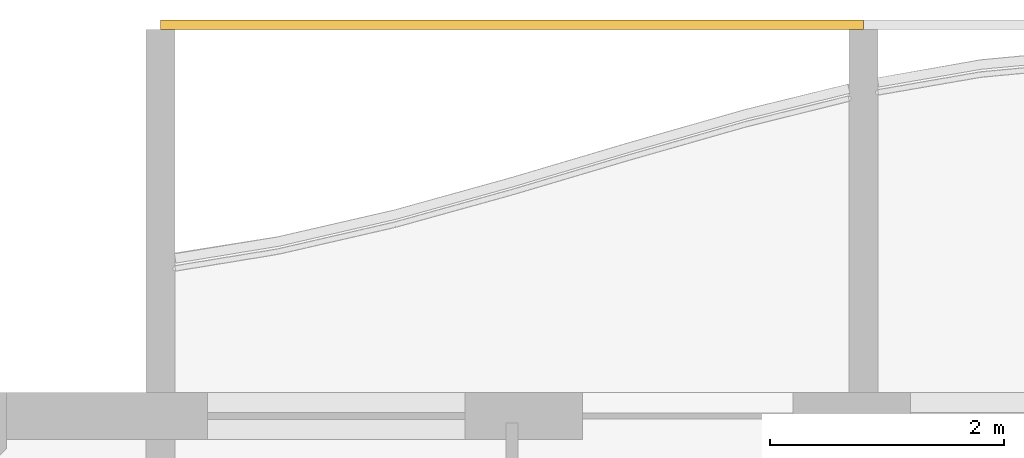
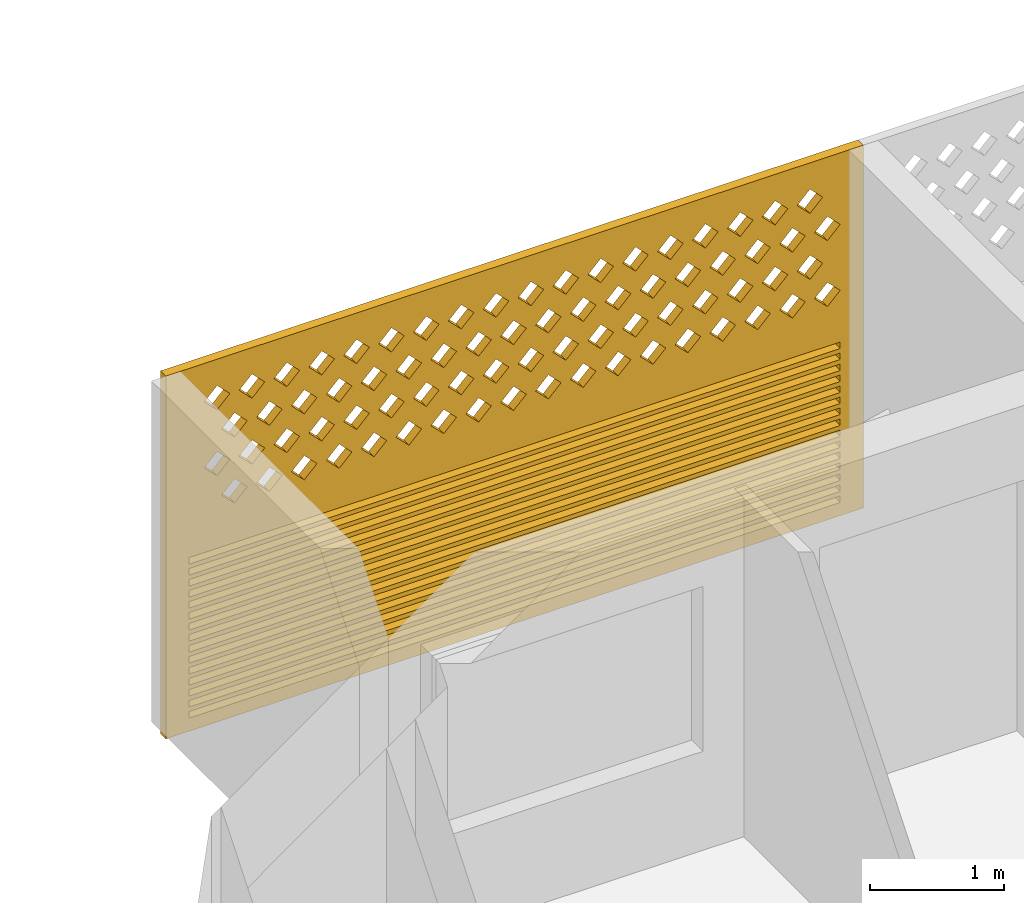
# One storey, part 17 of 27: 1 covering.
"""IFC4 building model written with IfcOpenShell, lengths in metres."""

from ifc_helpers import new_model, si_unit, direction, frame, origin, place, context, subcontext, project, spatial, polyline, outline, extrude, source, transform, mapped, material, material_profile, profile_set, type_object, element, save


model = new_model("IFC4")

# Units and contexts
model_context = context("Model", 3, precision=1e-05, world=origin(), true_north=direction((0.0, 1.0)))
body_context = subcontext(model_context, "Body", "Model", "MODEL_VIEW")
ifc_project = project(units=[si_unit("LENGTHUNIT", "METRE"), si_unit("AREAUNIT", "SQUARE_METRE"), si_unit("VOLUMEUNIT", "CUBIC_METRE"), si_unit("PLANEANGLEUNIT", "RADIAN"), si_unit("MASSUNIT", "GRAM", prefix="KILO")], contexts=[model_context])

# Site, building, storey
site_placement = place(None, origin())
site = spatial("IfcSite", under=ifc_project, at=site_placement, CompositionType="ELEMENT")
building_placement = place(site_placement, origin())
building = spatial("IfcBuilding", under=site, at=building_placement, Name="Poui Terraces", CompositionType="ELEMENT")
storey_placement = place(building_placement, frame((0.0, 0.0, 201.60009765625)))
storey = spatial("IfcBuildingStorey", under=building, at=storey_placement, Name="L56", CompositionType="ELEMENT", Elevation=201.60009765625)

# Covering
ifc_material = material(Name="Terracotta screen", Category="masonry")
ifc_material_profile = material_profile(ifc_material, outline(polyline([(-3.0, -1.64990234375), (3.0, -1.64990234375), (3.0, 1.64990234375), (-3.0, 1.64990234375), (-3.0, -1.64990234375)]), holes=[polyline([(-2.800048828125, 0.39990234375), (-2.68994140625, 0.2900390625), (-2.580078125, 0.39990234375), (-2.68994140625, 0.510009765625), (-2.800048828125, 0.39990234375)]), polyline([(-2.5, 0.39990234375), (-2.389892578125, 0.2900390625), (-2.280029296875, 0.39990234375), (-2.389892578125, 0.510009765625), (-2.5, 0.39990234375)]), polyline([(-2.199951171875, 0.39990234375), (-2.090087890625, 0.2900390625), (-1.97998046875, 0.39990234375), (-2.090087890625, 0.510009765625), (-2.199951171875, 0.39990234375)]), polyline([(-1.89990234375, 0.39990234375), (-1.7900390625, 0.2900390625), (-1.679931640625, 0.39990234375), (-1.7900390625, 0.510009765625), (-1.89990234375, 0.39990234375)]), polyline([(-1.60009765625, 0.39990234375), (-1.489990234375, 0.2900390625), (-1.3798828125, 0.39990234375), (-1.489990234375, 0.510009765625), (-1.60009765625, 0.39990234375)]), polyline([(-1.300048828125, 0.39990234375), (-1.18994140625, 0.2900390625), (-1.080078125, 0.39990234375), (-1.18994140625, 0.510009765625), (-1.300048828125, 0.39990234375)]), polyline([(-1.0, 0.39990234375), (-0.889892578125, 0.2900390625), (-0.780029296875, 0.39990234375), (-0.889892578125, 0.510009765625), (-1.0, 0.39990234375)]), polyline([(-0.699951171875, 0.39990234375), (-0.590087890625, 0.2900390625), (-0.47998046875, 0.39990234375), (-0.590087890625, 0.510009765625), (-0.699951171875, 0.39990234375)]), polyline([(-0.39990234375, 0.39990234375), (-0.2900390625, 0.2900390625), (-0.179931640625, 0.39990234375), (-0.2900390625, 0.510009765625), (-0.39990234375, 0.39990234375)]), polyline([(-0.10009765625, 0.39990234375), (0.010009765625, 0.2900390625), (0.1201171875, 0.39990234375), (0.010009765625, 0.510009765625), (-0.10009765625, 0.39990234375)]), polyline([(0.199951171875, 0.39990234375), (0.31005859375, 0.2900390625), (0.419921875, 0.39990234375), (0.31005859375, 0.510009765625), (0.199951171875, 0.39990234375)]), polyline([(0.5, 0.39990234375), (0.610107421875, 0.2900390625), (0.719970703125, 0.39990234375), (0.610107421875, 0.510009765625), (0.5, 0.39990234375)]), polyline([(0.800048828125, 0.39990234375), (0.909912109375, 0.2900390625), (1.02001953125, 0.39990234375), (0.909912109375, 0.510009765625), (0.800048828125, 0.39990234375)]), polyline([(1.10009765625, 0.39990234375), (1.2099609375, 0.2900390625), (1.320068359375, 0.39990234375), (1.2099609375, 0.510009765625), (1.10009765625, 0.39990234375)]), polyline([(1.39990234375, 0.39990234375), (1.510009765625, 0.2900390625), (1.6201171875, 0.39990234375), (1.510009765625, 0.510009765625), (1.39990234375, 0.39990234375)]), polyline([(1.699951171875, 0.39990234375), (1.81005859375, 0.2900390625), (1.919921875, 0.39990234375), (1.81005859375, 0.510009765625), (1.699951171875, 0.39990234375)]), polyline([(2.0, 0.39990234375), (2.110107421875, 0.2900390625), (2.219970703125, 0.39990234375), (2.110107421875, 0.510009765625), (2.0, 0.39990234375)]), polyline([(2.300048828125, 0.39990234375), (2.409912109375, 0.2900390625), (2.52001953125, 0.39990234375), (2.409912109375, 0.510009765625), (2.300048828125, 0.39990234375)]), polyline([(-2.64990234375, 0.699951171875), (-2.5400390625, 0.590087890625), (-2.429931640625, 0.699951171875), (-2.5400390625, 0.81005859375), (-2.64990234375, 0.699951171875)]), polyline([(-2.35009765625, 0.699951171875), (-2.239990234375, 0.590087890625), (-2.1298828125, 0.699951171875), (-2.239990234375, 0.81005859375), (-2.35009765625, 0.699951171875)]), polyline([(-2.050048828125, 0.699951171875), (-1.93994140625, 0.590087890625), (-1.830078125, 0.699951171875), (-1.93994140625, 0.81005859375), (-2.050048828125, 0.699951171875)]), polyline([(-1.75, 0.699951171875), (-1.639892578125, 0.590087890625), (-1.530029296875, 0.699951171875), (-1.639892578125, 0.81005859375), (-1.75, 0.699951171875)]), polyline([(-1.449951171875, 0.699951171875), (-1.340087890625, 0.590087890625), (-1.22998046875, 0.699951171875), (-1.340087890625, 0.81005859375), (-1.449951171875, 0.699951171875)]), polyline([(-1.14990234375, 0.699951171875), (-1.0400390625, 0.590087890625), (-0.929931640625, 0.699951171875), (-1.0400390625, 0.81005859375), (-1.14990234375, 0.699951171875)]), polyline([(-0.85009765625, 0.699951171875), (-0.739990234375, 0.590087890625), (-0.6298828125, 0.699951171875), (-0.739990234375, 0.81005859375), (-0.85009765625, 0.699951171875)]), polyline([(-0.550048828125, 0.699951171875), (-0.43994140625, 0.590087890625), (-0.330078125, 0.699951171875), (-0.43994140625, 0.81005859375), (-0.550048828125, 0.699951171875)]), polyline([(-0.25, 0.699951171875), (-0.139892578125, 0.590087890625), (-0.030029296875, 0.699951171875), (-0.139892578125, 0.81005859375), (-0.25, 0.699951171875)]), polyline([(0.050048828125, 0.699951171875), (0.159912109375, 0.590087890625), (0.27001953125, 0.699951171875), (0.159912109375, 0.81005859375), (0.050048828125, 0.699951171875)]), polyline([(0.35009765625, 0.699951171875), (0.4599609375, 0.590087890625), (0.570068359375, 0.699951171875), (0.4599609375, 0.81005859375), (0.35009765625, 0.699951171875)]), polyline([(0.64990234375, 0.699951171875), (0.760009765625, 0.590087890625), (0.8701171875, 0.699951171875), (0.760009765625, 0.81005859375), (0.64990234375, 0.699951171875)]), polyline([(0.949951171875, 0.699951171875), (1.06005859375, 0.590087890625), (1.169921875, 0.699951171875), (1.06005859375, 0.81005859375), (0.949951171875, 0.699951171875)]), polyline([(1.25, 0.699951171875), (1.360107421875, 0.590087890625), (1.469970703125, 0.699951171875), (1.360107421875, 0.81005859375), (1.25, 0.699951171875)]), polyline([(1.550048828125, 0.699951171875), (1.659912109375, 0.590087890625), (1.77001953125, 0.699951171875), (1.659912109375, 0.81005859375), (1.550048828125, 0.699951171875)]), polyline([(1.85009765625, 0.699951171875), (1.9599609375, 0.590087890625), (2.070068359375, 0.699951171875), (1.9599609375, 0.81005859375), (1.85009765625, 0.699951171875)]), polyline([(2.14990234375, 0.699951171875), (2.260009765625, 0.590087890625), (2.3701171875, 0.699951171875), (2.260009765625, 0.81005859375), (2.14990234375, 0.699951171875)]), polyline([(2.449951171875, 0.699951171875), (2.56005859375, 0.590087890625), (2.669921875, 0.699951171875), (2.56005859375, 0.81005859375), (2.449951171875, 0.699951171875)]), polyline([(-2.800048828125, 1.0), (-2.68994140625, 0.889892578125), (-2.580078125, 1.0), (-2.68994140625, 1.110107421875), (-2.800048828125, 1.0)]), polyline([(-2.5, 1.0), (-2.389892578125, 0.889892578125), (-2.280029296875, 1.0), (-2.389892578125, 1.110107421875), (-2.5, 1.0)]), polyline([(-2.199951171875, 1.0), (-2.090087890625, 0.889892578125), (-1.97998046875, 1.0), (-2.090087890625, 1.110107421875), (-2.199951171875, 1.0)]), polyline([(-1.89990234375, 1.0), (-1.7900390625, 0.889892578125), (-1.679931640625, 1.0), (-1.7900390625, 1.110107421875), (-1.89990234375, 1.0)]), polyline([(-1.60009765625, 1.0), (-1.489990234375, 0.889892578125), (-1.3798828125, 1.0), (-1.489990234375, 1.110107421875), (-1.60009765625, 1.0)]), polyline([(-1.300048828125, 1.0), (-1.18994140625, 0.889892578125), (-1.080078125, 1.0), (-1.18994140625, 1.110107421875), (-1.300048828125, 1.0)]), polyline([(-1.0, 1.0), (-0.889892578125, 0.889892578125), (-0.780029296875, 1.0), (-0.889892578125, 1.110107421875), (-1.0, 1.0)]), polyline([(-0.699951171875, 1.0), (-0.590087890625, 0.889892578125), (-0.47998046875, 1.0), (-0.590087890625, 1.110107421875), (-0.699951171875, 1.0)]), polyline([(-0.39990234375, 1.0), (-0.2900390625, 0.889892578125), (-0.179931640625, 1.0), (-0.2900390625, 1.110107421875), (-0.39990234375, 1.0)]), polyline([(-0.10009765625, 1.0), (0.010009765625, 0.889892578125), (0.1201171875, 1.0), (0.010009765625, 1.110107421875), (-0.10009765625, 1.0)]), polyline([(0.199951171875, 1.0), (0.31005859375, 0.889892578125), (0.419921875, 1.0), (0.31005859375, 1.110107421875), (0.199951171875, 1.0)]), polyline([(0.5, 1.0), (0.610107421875, 0.889892578125), (0.719970703125, 1.0), (0.610107421875, 1.110107421875), (0.5, 1.0)]), polyline([(0.800048828125, 1.0), (0.909912109375, 0.889892578125), (1.02001953125, 1.0), (0.909912109375, 1.110107421875), (0.800048828125, 1.0)]), polyline([(1.10009765625, 1.0), (1.2099609375, 0.889892578125), (1.320068359375, 1.0), (1.2099609375, 1.110107421875), (1.10009765625, 1.0)]), polyline([(1.39990234375, 1.0), (1.510009765625, 0.889892578125), (1.6201171875, 1.0), (1.510009765625, 1.110107421875), (1.39990234375, 1.0)]), polyline([(1.699951171875, 1.0), (1.81005859375, 0.889892578125), (1.919921875, 1.0), (1.81005859375, 1.110107421875), (1.699951171875, 1.0)]), polyline([(2.0, 1.0), (2.110107421875, 0.889892578125), (2.219970703125, 1.0), (2.110107421875, 1.110107421875), (2.0, 1.0)]), polyline([(2.300048828125, 1.0), (2.409912109375, 0.889892578125), (2.52001953125, 1.0), (2.409912109375, 1.110107421875), (2.300048828125, 1.0)]), polyline([(-2.64990234375, 1.300048828125), (-2.5400390625, 1.18994140625), (-2.429931640625, 1.300048828125), (-2.5400390625, 1.409912109375), (-2.64990234375, 1.300048828125)]), polyline([(-2.35009765625, 1.300048828125), (-2.239990234375, 1.18994140625), (-2.1298828125, 1.300048828125), (-2.239990234375, 1.409912109375), (-2.35009765625, 1.300048828125)]), polyline([(-2.050048828125, 1.300048828125), (-1.93994140625, 1.18994140625), (-1.830078125, 1.300048828125), (-1.93994140625, 1.409912109375), (-2.050048828125, 1.300048828125)]), polyline([(-1.75, 1.300048828125), (-1.639892578125, 1.18994140625), (-1.530029296875, 1.300048828125), (-1.639892578125, 1.409912109375), (-1.75, 1.300048828125)]), polyline([(-1.449951171875, 1.300048828125), (-1.340087890625, 1.18994140625), (-1.22998046875, 1.300048828125), (-1.340087890625, 1.409912109375), (-1.449951171875, 1.300048828125)]), polyline([(-1.14990234375, 1.300048828125), (-1.0400390625, 1.18994140625), (-0.929931640625, 1.300048828125), (-1.0400390625, 1.409912109375), (-1.14990234375, 1.300048828125)]), polyline([(-0.85009765625, 1.300048828125), (-0.739990234375, 1.18994140625), (-0.6298828125, 1.300048828125), (-0.739990234375, 1.409912109375), (-0.85009765625, 1.300048828125)]), polyline([(-0.550048828125, 1.300048828125), (-0.43994140625, 1.18994140625), (-0.330078125, 1.300048828125), (-0.43994140625, 1.409912109375), (-0.550048828125, 1.300048828125)]), polyline([(-0.25, 1.300048828125), (-0.139892578125, 1.18994140625), (-0.030029296875, 1.300048828125), (-0.139892578125, 1.409912109375), (-0.25, 1.300048828125)]), polyline([(0.050048828125, 1.300048828125), (0.159912109375, 1.18994140625), (0.27001953125, 1.300048828125), (0.159912109375, 1.409912109375), (0.050048828125, 1.300048828125)]), polyline([(0.35009765625, 1.300048828125), (0.4599609375, 1.18994140625), (0.570068359375, 1.300048828125), (0.4599609375, 1.409912109375), (0.35009765625, 1.300048828125)]), polyline([(0.64990234375, 1.300048828125), (0.760009765625, 1.18994140625), (0.8701171875, 1.300048828125), (0.760009765625, 1.409912109375), (0.64990234375, 1.300048828125)]), polyline([(0.949951171875, 1.300048828125), (1.06005859375, 1.18994140625), (1.169921875, 1.300048828125), (1.06005859375, 1.409912109375), (0.949951171875, 1.300048828125)]), polyline([(1.25, 1.300048828125), (1.360107421875, 1.18994140625), (1.469970703125, 1.300048828125), (1.360107421875, 1.409912109375), (1.25, 1.300048828125)]), polyline([(1.550048828125, 1.300048828125), (1.659912109375, 1.18994140625), (1.77001953125, 1.300048828125), (1.659912109375, 1.409912109375), (1.550048828125, 1.300048828125)]), polyline([(1.85009765625, 1.300048828125), (1.9599609375, 1.18994140625), (2.070068359375, 1.300048828125), (1.9599609375, 1.409912109375), (1.85009765625, 1.300048828125)]), polyline([(2.14990234375, 1.300048828125), (2.260009765625, 1.18994140625), (2.3701171875, 1.300048828125), (2.260009765625, 1.409912109375), (2.14990234375, 1.300048828125)]), polyline([(2.449951171875, 1.300048828125), (2.56005859375, 1.18994140625), (2.669921875, 1.300048828125), (2.56005859375, 1.409912109375), (2.449951171875, 1.300048828125)]), polyline([(-2.800048828125, -1.530029296875), (2.800048828125, -1.530029296875), (2.800048828125, -1.469970703125), (-2.800048828125, -1.469970703125), (-2.800048828125, -1.530029296875)]), polyline([(-2.800048828125, -1.429931640625), (2.800048828125, -1.429931640625), (2.800048828125, -1.3701171875), (-2.800048828125, -1.3701171875), (-2.800048828125, -1.429931640625)]), polyline([(-2.800048828125, -1.330078125), (2.800048828125, -1.330078125), (2.800048828125, -1.27001953125), (-2.800048828125, -1.27001953125), (-2.800048828125, -1.330078125)]), polyline([(-2.800048828125, -1.22998046875), (2.800048828125, -1.22998046875), (2.800048828125, -1.169921875), (-2.800048828125, -1.169921875), (-2.800048828125, -1.22998046875)]), polyline([(-2.800048828125, -1.1298828125), (2.800048828125, -1.1298828125), (2.800048828125, -1.070068359375), (-2.800048828125, -1.070068359375), (-2.800048828125, -1.1298828125)]), polyline([(-2.800048828125, -1.030029296875), (2.800048828125, -1.030029296875), (2.800048828125, -0.969970703125), (-2.800048828125, -0.969970703125), (-2.800048828125, -1.030029296875)]), polyline([(-2.800048828125, -0.929931640625), (2.800048828125, -0.929931640625), (2.800048828125, -0.8701171875), (-2.800048828125, -0.8701171875), (-2.800048828125, -0.929931640625)]), polyline([(-2.800048828125, -0.830078125), (2.800048828125, -0.830078125), (2.800048828125, -0.77001953125), (-2.800048828125, -0.77001953125), (-2.800048828125, -0.830078125)]), polyline([(-2.800048828125, -0.72998046875), (2.800048828125, -0.72998046875), (2.800048828125, -0.669921875), (-2.800048828125, -0.669921875), (-2.800048828125, -0.72998046875)]), polyline([(-2.800048828125, -0.6298828125), (2.800048828125, -0.6298828125), (2.800048828125, -0.570068359375), (-2.800048828125, -0.570068359375), (-2.800048828125, -0.6298828125)]), polyline([(-2.800048828125, -0.530029296875), (2.800048828125, -0.530029296875), (2.800048828125, -0.469970703125), (-2.800048828125, -0.469970703125), (-2.800048828125, -0.530029296875)]), polyline([(-2.800048828125, -0.429931640625), (2.800048828125, -0.429931640625), (2.800048828125, -0.3701171875), (-2.800048828125, -0.3701171875), (-2.800048828125, -0.429931640625)]), polyline([(-2.800048828125, -0.330078125), (2.800048828125, -0.330078125), (2.800048828125, -0.27001953125), (-2.800048828125, -0.27001953125), (-2.800048828125, -0.330078125)]), polyline([(-2.800048828125, -0.22998046875), (2.800048828125, -0.22998046875), (2.800048828125, -0.169921875), (-2.800048828125, -0.169921875), (-2.800048828125, -0.22998046875)]), polyline([(-2.800048828125, -0.1298828125), (2.800048828125, -0.1298828125), (2.800048828125, -0.070068359375), (-2.800048828125, -0.070068359375), (-2.800048828125, -0.1298828125)])]), Name="TERRACOTTA SCREEN AND JALOUSIE LOUVRE 6000X3300")
ifc_profile_set = profile_set([ifc_material_profile], Name="Terracotta screen")
covering_type = type_object("IfcCoveringType", Name="TERRACOTTA SCREEN AND JALOUSIE LOUVRE 6000X3300", PredefinedType="CLADDING", material=ifc_profile_set)
shared_shape = source(origin(), body_context, "Body", "SweptSolid", [
    extrude(outline(polyline([(-3.0, -1.64990234375), (3.0, -1.64990234375), (3.0, 1.64990234375), (-3.0, 1.64990234375), (-3.0, -1.64990234375)]), holes=[polyline([(-2.800048828125, 0.39990234375), (-2.68994140625, 0.2900390625), (-2.580078125, 0.39990234375), (-2.68994140625, 0.510009765625), (-2.800048828125, 0.39990234375)]), polyline([(-2.5, 0.39990234375), (-2.389892578125, 0.2900390625), (-2.280029296875, 0.39990234375), (-2.389892578125, 0.510009765625), (-2.5, 0.39990234375)]), polyline([(-2.199951171875, 0.39990234375), (-2.090087890625, 0.2900390625), (-1.97998046875, 0.39990234375), (-2.090087890625, 0.510009765625), (-2.199951171875, 0.39990234375)]), polyline([(-1.89990234375, 0.39990234375), (-1.7900390625, 0.2900390625), (-1.679931640625, 0.39990234375), (-1.7900390625, 0.510009765625), (-1.89990234375, 0.39990234375)]), polyline([(-1.60009765625, 0.39990234375), (-1.489990234375, 0.2900390625), (-1.3798828125, 0.39990234375), (-1.489990234375, 0.510009765625), (-1.60009765625, 0.39990234375)]), polyline([(-1.300048828125, 0.39990234375), (-1.18994140625, 0.2900390625), (-1.080078125, 0.39990234375), (-1.18994140625, 0.510009765625), (-1.300048828125, 0.39990234375)]), polyline([(-1.0, 0.39990234375), (-0.889892578125, 0.2900390625), (-0.780029296875, 0.39990234375), (-0.889892578125, 0.510009765625), (-1.0, 0.39990234375)]), polyline([(-0.699951171875, 0.39990234375), (-0.590087890625, 0.2900390625), (-0.47998046875, 0.39990234375), (-0.590087890625, 0.510009765625), (-0.699951171875, 0.39990234375)]), polyline([(-0.39990234375, 0.39990234375), (-0.2900390625, 0.2900390625), (-0.179931640625, 0.39990234375), (-0.2900390625, 0.510009765625), (-0.39990234375, 0.39990234375)]), polyline([(-0.10009765625, 0.39990234375), (0.010009765625, 0.2900390625), (0.1201171875, 0.39990234375), (0.010009765625, 0.510009765625), (-0.10009765625, 0.39990234375)]), polyline([(0.199951171875, 0.39990234375), (0.31005859375, 0.2900390625), (0.419921875, 0.39990234375), (0.31005859375, 0.510009765625), (0.199951171875, 0.39990234375)]), polyline([(0.5, 0.39990234375), (0.610107421875, 0.2900390625), (0.719970703125, 0.39990234375), (0.610107421875, 0.510009765625), (0.5, 0.39990234375)]), polyline([(0.800048828125, 0.39990234375), (0.909912109375, 0.2900390625), (1.02001953125, 0.39990234375), (0.909912109375, 0.510009765625), (0.800048828125, 0.39990234375)]), polyline([(1.10009765625, 0.39990234375), (1.2099609375, 0.2900390625), (1.320068359375, 0.39990234375), (1.2099609375, 0.510009765625), (1.10009765625, 0.39990234375)]), polyline([(1.39990234375, 0.39990234375), (1.510009765625, 0.2900390625), (1.6201171875, 0.39990234375), (1.510009765625, 0.510009765625), (1.39990234375, 0.39990234375)]), polyline([(1.699951171875, 0.39990234375), (1.81005859375, 0.2900390625), (1.919921875, 0.39990234375), (1.81005859375, 0.510009765625), (1.699951171875, 0.39990234375)]), polyline([(2.0, 0.39990234375), (2.110107421875, 0.2900390625), (2.219970703125, 0.39990234375), (2.110107421875, 0.510009765625), (2.0, 0.39990234375)]), polyline([(2.300048828125, 0.39990234375), (2.409912109375, 0.2900390625), (2.52001953125, 0.39990234375), (2.409912109375, 0.510009765625), (2.300048828125, 0.39990234375)]), polyline([(-2.64990234375, 0.699951171875), (-2.5400390625, 0.590087890625), (-2.429931640625, 0.699951171875), (-2.5400390625, 0.81005859375), (-2.64990234375, 0.699951171875)]), polyline([(-2.35009765625, 0.699951171875), (-2.239990234375, 0.590087890625), (-2.1298828125, 0.699951171875), (-2.239990234375, 0.81005859375), (-2.35009765625, 0.699951171875)]), polyline([(-2.050048828125, 0.699951171875), (-1.93994140625, 0.590087890625), (-1.830078125, 0.699951171875), (-1.93994140625, 0.81005859375), (-2.050048828125, 0.699951171875)]), polyline([(-1.75, 0.699951171875), (-1.639892578125, 0.590087890625), (-1.530029296875, 0.699951171875), (-1.639892578125, 0.81005859375), (-1.75, 0.699951171875)]), polyline([(-1.449951171875, 0.699951171875), (-1.340087890625, 0.590087890625), (-1.22998046875, 0.699951171875), (-1.340087890625, 0.81005859375), (-1.449951171875, 0.699951171875)]), polyline([(-1.14990234375, 0.699951171875), (-1.0400390625, 0.590087890625), (-0.929931640625, 0.699951171875), (-1.0400390625, 0.81005859375), (-1.14990234375, 0.699951171875)]), polyline([(-0.85009765625, 0.699951171875), (-0.739990234375, 0.590087890625), (-0.6298828125, 0.699951171875), (-0.739990234375, 0.81005859375), (-0.85009765625, 0.699951171875)]), polyline([(-0.550048828125, 0.699951171875), (-0.43994140625, 0.590087890625), (-0.330078125, 0.699951171875), (-0.43994140625, 0.81005859375), (-0.550048828125, 0.699951171875)]), polyline([(-0.25, 0.699951171875), (-0.139892578125, 0.590087890625), (-0.030029296875, 0.699951171875), (-0.139892578125, 0.81005859375), (-0.25, 0.699951171875)]), polyline([(0.050048828125, 0.699951171875), (0.159912109375, 0.590087890625), (0.27001953125, 0.699951171875), (0.159912109375, 0.81005859375), (0.050048828125, 0.699951171875)]), polyline([(0.35009765625, 0.699951171875), (0.4599609375, 0.590087890625), (0.570068359375, 0.699951171875), (0.4599609375, 0.81005859375), (0.35009765625, 0.699951171875)]), polyline([(0.64990234375, 0.699951171875), (0.760009765625, 0.590087890625), (0.8701171875, 0.699951171875), (0.760009765625, 0.81005859375), (0.64990234375, 0.699951171875)]), polyline([(0.949951171875, 0.699951171875), (1.06005859375, 0.590087890625), (1.169921875, 0.699951171875), (1.06005859375, 0.81005859375), (0.949951171875, 0.699951171875)]), polyline([(1.25, 0.699951171875), (1.360107421875, 0.590087890625), (1.469970703125, 0.699951171875), (1.360107421875, 0.81005859375), (1.25, 0.699951171875)]), polyline([(1.550048828125, 0.699951171875), (1.659912109375, 0.590087890625), (1.77001953125, 0.699951171875), (1.659912109375, 0.81005859375), (1.550048828125, 0.699951171875)]), polyline([(1.85009765625, 0.699951171875), (1.9599609375, 0.590087890625), (2.070068359375, 0.699951171875), (1.9599609375, 0.81005859375), (1.85009765625, 0.699951171875)]), polyline([(2.14990234375, 0.699951171875), (2.260009765625, 0.590087890625), (2.3701171875, 0.699951171875), (2.260009765625, 0.81005859375), (2.14990234375, 0.699951171875)]), polyline([(2.449951171875, 0.699951171875), (2.56005859375, 0.590087890625), (2.669921875, 0.699951171875), (2.56005859375, 0.81005859375), (2.449951171875, 0.699951171875)]), polyline([(-2.800048828125, 1.0), (-2.68994140625, 0.889892578125), (-2.580078125, 1.0), (-2.68994140625, 1.110107421875), (-2.800048828125, 1.0)]), polyline([(-2.5, 1.0), (-2.389892578125, 0.889892578125), (-2.280029296875, 1.0), (-2.389892578125, 1.110107421875), (-2.5, 1.0)]), polyline([(-2.199951171875, 1.0), (-2.090087890625, 0.889892578125), (-1.97998046875, 1.0), (-2.090087890625, 1.110107421875), (-2.199951171875, 1.0)]), polyline([(-1.89990234375, 1.0), (-1.7900390625, 0.889892578125), (-1.679931640625, 1.0), (-1.7900390625, 1.110107421875), (-1.89990234375, 1.0)]), polyline([(-1.60009765625, 1.0), (-1.489990234375, 0.889892578125), (-1.3798828125, 1.0), (-1.489990234375, 1.110107421875), (-1.60009765625, 1.0)]), polyline([(-1.300048828125, 1.0), (-1.18994140625, 0.889892578125), (-1.080078125, 1.0), (-1.18994140625, 1.110107421875), (-1.300048828125, 1.0)]), polyline([(-1.0, 1.0), (-0.889892578125, 0.889892578125), (-0.780029296875, 1.0), (-0.889892578125, 1.110107421875), (-1.0, 1.0)]), polyline([(-0.699951171875, 1.0), (-0.590087890625, 0.889892578125), (-0.47998046875, 1.0), (-0.590087890625, 1.110107421875), (-0.699951171875, 1.0)]), polyline([(-0.39990234375, 1.0), (-0.2900390625, 0.889892578125), (-0.179931640625, 1.0), (-0.2900390625, 1.110107421875), (-0.39990234375, 1.0)]), polyline([(-0.10009765625, 1.0), (0.010009765625, 0.889892578125), (0.1201171875, 1.0), (0.010009765625, 1.110107421875), (-0.10009765625, 1.0)]), polyline([(0.199951171875, 1.0), (0.31005859375, 0.889892578125), (0.419921875, 1.0), (0.31005859375, 1.110107421875), (0.199951171875, 1.0)]), polyline([(0.5, 1.0), (0.610107421875, 0.889892578125), (0.719970703125, 1.0), (0.610107421875, 1.110107421875), (0.5, 1.0)]), polyline([(0.800048828125, 1.0), (0.909912109375, 0.889892578125), (1.02001953125, 1.0), (0.909912109375, 1.110107421875), (0.800048828125, 1.0)]), polyline([(1.10009765625, 1.0), (1.2099609375, 0.889892578125), (1.320068359375, 1.0), (1.2099609375, 1.110107421875), (1.10009765625, 1.0)]), polyline([(1.39990234375, 1.0), (1.510009765625, 0.889892578125), (1.6201171875, 1.0), (1.510009765625, 1.110107421875), (1.39990234375, 1.0)]), polyline([(1.699951171875, 1.0), (1.81005859375, 0.889892578125), (1.919921875, 1.0), (1.81005859375, 1.110107421875), (1.699951171875, 1.0)]), polyline([(2.0, 1.0), (2.110107421875, 0.889892578125), (2.219970703125, 1.0), (2.110107421875, 1.110107421875), (2.0, 1.0)]), polyline([(2.300048828125, 1.0), (2.409912109375, 0.889892578125), (2.52001953125, 1.0), (2.409912109375, 1.110107421875), (2.300048828125, 1.0)]), polyline([(-2.64990234375, 1.300048828125), (-2.5400390625, 1.18994140625), (-2.429931640625, 1.300048828125), (-2.5400390625, 1.409912109375), (-2.64990234375, 1.300048828125)]), polyline([(-2.35009765625, 1.300048828125), (-2.239990234375, 1.18994140625), (-2.1298828125, 1.300048828125), (-2.239990234375, 1.409912109375), (-2.35009765625, 1.300048828125)]), polyline([(-2.050048828125, 1.300048828125), (-1.93994140625, 1.18994140625), (-1.830078125, 1.300048828125), (-1.93994140625, 1.409912109375), (-2.050048828125, 1.300048828125)]), polyline([(-1.75, 1.300048828125), (-1.639892578125, 1.18994140625), (-1.530029296875, 1.300048828125), (-1.639892578125, 1.409912109375), (-1.75, 1.300048828125)]), polyline([(-1.449951171875, 1.300048828125), (-1.340087890625, 1.18994140625), (-1.22998046875, 1.300048828125), (-1.340087890625, 1.409912109375), (-1.449951171875, 1.300048828125)]), polyline([(-1.14990234375, 1.300048828125), (-1.0400390625, 1.18994140625), (-0.929931640625, 1.300048828125), (-1.0400390625, 1.409912109375), (-1.14990234375, 1.300048828125)]), polyline([(-0.85009765625, 1.300048828125), (-0.739990234375, 1.18994140625), (-0.6298828125, 1.300048828125), (-0.739990234375, 1.409912109375), (-0.85009765625, 1.300048828125)]), polyline([(-0.550048828125, 1.300048828125), (-0.43994140625, 1.18994140625), (-0.330078125, 1.300048828125), (-0.43994140625, 1.409912109375), (-0.550048828125, 1.300048828125)]), polyline([(-0.25, 1.300048828125), (-0.139892578125, 1.18994140625), (-0.030029296875, 1.300048828125), (-0.139892578125, 1.409912109375), (-0.25, 1.300048828125)]), polyline([(0.050048828125, 1.300048828125), (0.159912109375, 1.18994140625), (0.27001953125, 1.300048828125), (0.159912109375, 1.409912109375), (0.050048828125, 1.300048828125)]), polyline([(0.35009765625, 1.300048828125), (0.4599609375, 1.18994140625), (0.570068359375, 1.300048828125), (0.4599609375, 1.409912109375), (0.35009765625, 1.300048828125)]), polyline([(0.64990234375, 1.300048828125), (0.760009765625, 1.18994140625), (0.8701171875, 1.300048828125), (0.760009765625, 1.409912109375), (0.64990234375, 1.300048828125)]), polyline([(0.949951171875, 1.300048828125), (1.06005859375, 1.18994140625), (1.169921875, 1.300048828125), (1.06005859375, 1.409912109375), (0.949951171875, 1.300048828125)]), polyline([(1.25, 1.300048828125), (1.360107421875, 1.18994140625), (1.469970703125, 1.300048828125), (1.360107421875, 1.409912109375), (1.25, 1.300048828125)]), polyline([(1.550048828125, 1.300048828125), (1.659912109375, 1.18994140625), (1.77001953125, 1.300048828125), (1.659912109375, 1.409912109375), (1.550048828125, 1.300048828125)]), polyline([(1.85009765625, 1.300048828125), (1.9599609375, 1.18994140625), (2.070068359375, 1.300048828125), (1.9599609375, 1.409912109375), (1.85009765625, 1.300048828125)]), polyline([(2.14990234375, 1.300048828125), (2.260009765625, 1.18994140625), (2.3701171875, 1.300048828125), (2.260009765625, 1.409912109375), (2.14990234375, 1.300048828125)]), polyline([(2.449951171875, 1.300048828125), (2.56005859375, 1.18994140625), (2.669921875, 1.300048828125), (2.56005859375, 1.409912109375), (2.449951171875, 1.300048828125)]), polyline([(-2.800048828125, -1.530029296875), (2.800048828125, -1.530029296875), (2.800048828125, -1.469970703125), (-2.800048828125, -1.469970703125), (-2.800048828125, -1.530029296875)]), polyline([(-2.800048828125, -1.429931640625), (2.800048828125, -1.429931640625), (2.800048828125, -1.3701171875), (-2.800048828125, -1.3701171875), (-2.800048828125, -1.429931640625)]), polyline([(-2.800048828125, -1.330078125), (2.800048828125, -1.330078125), (2.800048828125, -1.27001953125), (-2.800048828125, -1.27001953125), (-2.800048828125, -1.330078125)]), polyline([(-2.800048828125, -1.22998046875), (2.800048828125, -1.22998046875), (2.800048828125, -1.169921875), (-2.800048828125, -1.169921875), (-2.800048828125, -1.22998046875)]), polyline([(-2.800048828125, -1.1298828125), (2.800048828125, -1.1298828125), (2.800048828125, -1.070068359375), (-2.800048828125, -1.070068359375), (-2.800048828125, -1.1298828125)]), polyline([(-2.800048828125, -1.030029296875), (2.800048828125, -1.030029296875), (2.800048828125, -0.969970703125), (-2.800048828125, -0.969970703125), (-2.800048828125, -1.030029296875)]), polyline([(-2.800048828125, -0.929931640625), (2.800048828125, -0.929931640625), (2.800048828125, -0.8701171875), (-2.800048828125, -0.8701171875), (-2.800048828125, -0.929931640625)]), polyline([(-2.800048828125, -0.830078125), (2.800048828125, -0.830078125), (2.800048828125, -0.77001953125), (-2.800048828125, -0.77001953125), (-2.800048828125, -0.830078125)]), polyline([(-2.800048828125, -0.72998046875), (2.800048828125, -0.72998046875), (2.800048828125, -0.669921875), (-2.800048828125, -0.669921875), (-2.800048828125, -0.72998046875)]), polyline([(-2.800048828125, -0.6298828125), (2.800048828125, -0.6298828125), (2.800048828125, -0.570068359375), (-2.800048828125, -0.570068359375), (-2.800048828125, -0.6298828125)]), polyline([(-2.800048828125, -0.530029296875), (2.800048828125, -0.530029296875), (2.800048828125, -0.469970703125), (-2.800048828125, -0.469970703125), (-2.800048828125, -0.530029296875)]), polyline([(-2.800048828125, -0.429931640625), (2.800048828125, -0.429931640625), (2.800048828125, -0.3701171875), (-2.800048828125, -0.3701171875), (-2.800048828125, -0.429931640625)]), polyline([(-2.800048828125, -0.330078125), (2.800048828125, -0.330078125), (2.800048828125, -0.27001953125), (-2.800048828125, -0.27001953125), (-2.800048828125, -0.330078125)]), polyline([(-2.800048828125, -0.22998046875), (2.800048828125, -0.22998046875), (2.800048828125, -0.169921875), (-2.800048828125, -0.169921875), (-2.800048828125, -0.22998046875)]), polyline([(-2.800048828125, -0.1298828125), (2.800048828125, -0.1298828125), (2.800048828125, -0.070068359375), (-2.800048828125, -0.070068359375), (-2.800048828125, -0.1298828125)])]), origin(), (0.0, 0.0, 1.0), 0.080078125),
])
covering_placement = place(storey_placement, frame((27.0, 44.5, 1.449951171875), z_axis=(0.0, 1.0, 0.0), x_axis=(-1.0, 0.0, 0.0)))
element("IfcCovering", 1, at=covering_placement, inside=storey, type_object=covering_type, Name="SOLAR SCREEN AND JALOUSIE LOUVRE", PredefinedType="CLADDING", context=body_context, shape_type="MappedRepresentation", body=[
    mapped(shared_shape, transform((0.0, 0.0, 0.0))),
])

save(model, "model.ifc")
